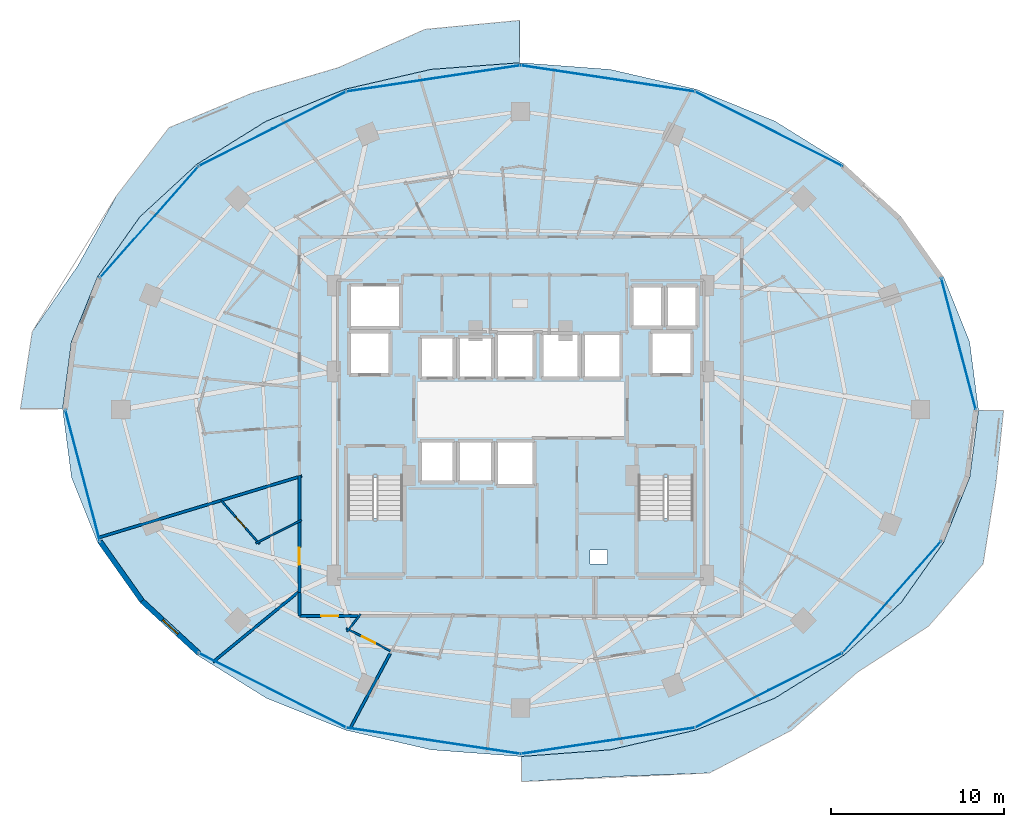
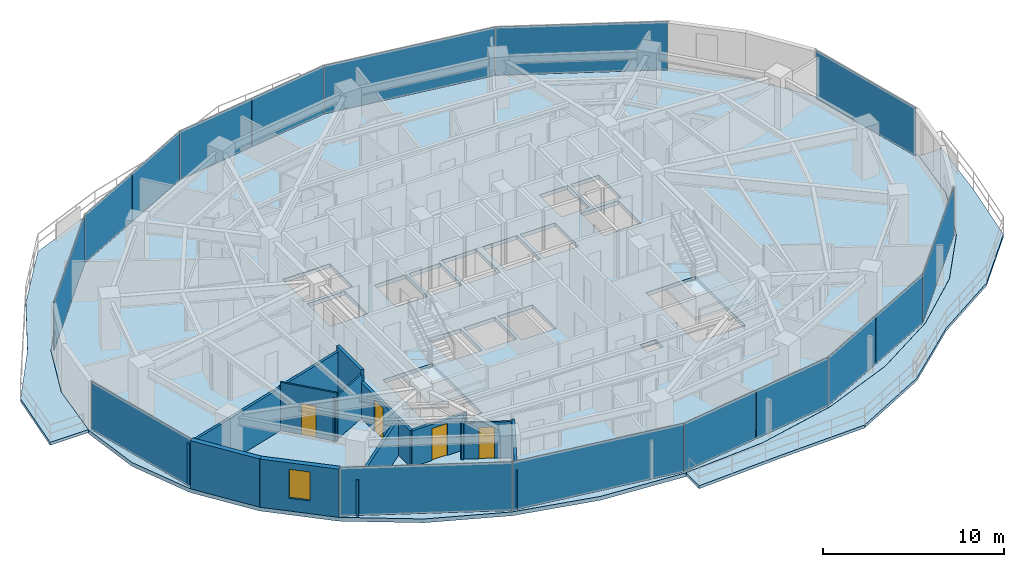
# One storey, part 20 of 29: 16 plates, 14 walls, 5 slabs, 4 doors, 1 window, 5 openings, 6 elements without a shape of their own.
"""IFC4 building model written with IfcOpenShell, lengths in metres."""

from ifc_helpers import new_model, si_unit, direction, frame, frame_2d, origin, origin_2d, place, context, subcontext, project, spatial, polyline, rectangle, outline, extrude, material, layer, layer_set, type_object, element, fill, aggregate, save


model = new_model("IFC4")

# Units and contexts
model_context = context("Model", 3, precision=1e-05, world=origin(), true_north=direction((0.0, 1.0)))
body_context = subcontext(model_context, "Body", "Model", "MODEL_VIEW")
ifc_project = project(units=[si_unit("LENGTHUNIT", "METRE"), si_unit("AREAUNIT", "SQUARE_METRE"), si_unit("VOLUMEUNIT", "CUBIC_METRE"), si_unit("PLANEANGLEUNIT", "RADIAN"), si_unit("MASSUNIT", "GRAM", prefix="KILO")], contexts=[model_context])

# Site, building, storey
site_placement = place(None, origin())
site = spatial("IfcSite", under=ifc_project, at=site_placement, CompositionType="ELEMENT")
building_placement = place(site_placement, origin())
building = spatial("IfcBuilding", under=site, at=building_placement, Name="Vorneva Point Tower", CompositionType="ELEMENT")
storey_placement = place(building_placement, frame((0.0, 0.0, 110.300048828125)))
storey = spatial("IfcBuildingStorey", under=building, at=storey_placement, Name="L29", CompositionType="ELEMENT", Elevation=110.300048828125)

# Curtain wall, plate
ifc_material_1 = material(Name="Pale anodised aluminium", Category="aluminium")
curtain_wall_type = type_object("IfcCurtainWallType", Name="CW-HTL-SYS", PredefinedType="NOTDEFINED", material=ifc_material_1)
curtain_wall_1_placement = place(storey_placement, origin())
curtain_wall_1 = element("IfcCurtainWall", 1, at=curtain_wall_1_placement, inside=storey, type_object=curtain_wall_type, Name="L29 Unitised Curtain Wall CW-L29-R01", PredefinedType="NOTDEFINED")
ifc_material_2 = material(Name="Double low-e laminated glass IGU", Category="glass")
ifc_layer_1 = layer(ifc_material_2, 0.035888671875)
ifc_layer_set_1 = layer_set([ifc_layer_1], Name="Double low-e laminated glass IGU")
plate_type = type_object("IfcPlateType", Name="CW-PNL-VIS", PredefinedType="CURTAIN_PANEL", material=ifc_layer_set_1)
plate_1_placement = place(storey_placement, frame((63.2509765625, 29.798095703125, -0.02001953125), z_axis=(0.0, 0.0, 1.0), x_axis=(-0.254399404995, 0.967099241411, 0.0)))
plate_1 = element("IfcPlate", 2, at=plate_1_placement, type_object=plate_type, Name="CW-L29-R01 Glazed Panel 01", PredefinedType="CURTAIN_PANEL", context=body_context, shape_type="SweptSolid", body=[
    extrude(rectangle(XDim=7.8046875, YDim=0.035888671875, at=origin_2d()), origin(), (0.0, 0.0, 1.0), 3.280029296875),
])
aggregate(curtain_wall_1, [plate_1])

# Curtain wall, plates
curtain_wall_2_placement = place(storey_placement, origin())
curtain_wall_2 = element("IfcCurtainWall", 3, at=curtain_wall_2_placement, inside=storey, type_object=curtain_wall_type, Name="L29 Unitised Curtain Wall CW-L29-R02", PredefinedType="NOTDEFINED")
plate_2_placement = place(storey_placement, frame((52.303466796875, 42.1875, -0.02001953125), z_axis=(0.0, 0.0, 1.0), x_axis=(-0.892538597772, 0.450971009585, 0.0)))
plate_2 = element("IfcPlate", 4, at=plate_2_placement, type_object=plate_type, Name="CW-L29-R02 Glazed Panel 01", PredefinedType="CURTAIN_PANEL", context=body_context, shape_type="SweptSolid", body=[
    extrude(rectangle(XDim=9.491455078125, YDim=0.035888671875, at=origin_2d()), origin(), (0.0, 0.0, 1.0), 3.280029296875),
])
plate_3_placement = place(storey_placement, frame((43.022705078125, 45.094482421875, -0.02001953125), z_axis=(0.0, 0.0, 1.0), x_axis=(-0.988876117041, 0.148741470836, 0.0)))
plate_3 = element("IfcPlate", 5, at=plate_3_placement, type_object=plate_type, Name="CW-L29-R02 Glazed Panel 02", PredefinedType="CURTAIN_PANEL", context=body_context, shape_type="SweptSolid", body=[
    extrude(rectangle(XDim=10.1083984375, YDim=0.035888671875, at=origin_2d()), origin(), (0.0, 0.0, 1.0), 3.280029296875),
])
plate_4_placement = place(storey_placement, frame((35.488525390625, 45.472412109375, -0.02001953125), z_axis=(0.0, 0.0, 1.0), x_axis=(-0.988876117041, -0.148741470836, 0.0)))
plate_4 = element("IfcPlate", 6, at=plate_4_placement, type_object=plate_type, Name="CW-L29-R02 Glazed Panel 03A", PredefinedType="CURTAIN_PANEL", context=body_context, shape_type="SweptSolid", body=[
    extrude(rectangle(XDim=5.029296875, YDim=0.035888671875, at=origin_2d()), origin(), (0.0, 0.0, 1.0), 3.280029296875),
])
plate_5_placement = place(storey_placement, frame((30.4658203125, 44.716796875, -0.02001953125), z_axis=(0.0, 0.0, 1.0), x_axis=(-0.988876117041, -0.148741470836, 0.0)))
plate_5 = element("IfcPlate", 7, at=plate_5_placement, type_object=plate_type, Name="CW-L29-R02 Glazed Panel 03B", PredefinedType="CURTAIN_PANEL", context=body_context, shape_type="SweptSolid", body=[
    extrude(rectangle(XDim=5.029296875, YDim=0.035888671875, at=origin_2d()), origin(), (0.0, 0.0, 1.0), 3.280029296875),
])
plate_6_placement = place(storey_placement, frame((25.825439453125, 43.26318359375, -0.02001953125), z_axis=(0.0, 0.0, 1.0), x_axis=(-0.892538597772, -0.450971009585, 0.0)))
plate_6 = element("IfcPlate", 8, at=plate_6_placement, type_object=plate_type, Name="CW-L29-R02 Glazed Panel 04A", PredefinedType="CURTAIN_PANEL", context=body_context, shape_type="SweptSolid", body=[
    extrude(rectangle(XDim=4.720703125, YDim=0.035888671875, at=origin_2d()), origin(), (0.0, 0.0, 1.0), 3.280029296875),
])
plate_7_placement = place(storey_placement, frame((21.5673828125, 41.11181640625, -0.02001953125), z_axis=(0.0, 0.0, 1.0), x_axis=(-0.892538597772, -0.450971009585, 0.0)))
plate_7 = element("IfcPlate", 9, at=plate_7_placement, type_object=plate_type, Name="CW-L29-R02 Glazed Panel 04B", PredefinedType="CURTAIN_PANEL", context=body_context, shape_type="SweptSolid", body=[
    extrude(rectangle(XDim=4.720703125, YDim=0.035888671875, at=origin_2d()), origin(), (0.0, 0.0, 1.0), 3.280029296875),
])
plate_8_placement = place(storey_placement, frame((16.59326171875, 36.816162109375, -0.02001953125), z_axis=(0.0, 0.0, 1.0), x_axis=(-0.662149334693, -0.749371909379, 0.0)))
plate_8 = element("IfcPlate", 10, at=plate_8_placement, type_object=plate_type, Name="CW-L29-R02 Glazed Panel 05", PredefinedType="CURTAIN_PANEL", context=body_context, shape_type="SweptSolid", body=[
    extrude(rectangle(XDim=8.543701171875, YDim=0.035888671875, at=origin_2d()), origin(), (0.0, 0.0, 1.0), 3.280029296875),
])
aggregate(curtain_wall_2, [plate_2, plate_3, plate_4, plate_5, plate_6, plate_7, plate_8])

# Curtain wall, plate
curtain_wall_3_placement = place(storey_placement, origin())
curtain_wall_3 = element("IfcCurtainWall", 11, at=curtain_wall_3_placement, inside=storey, type_object=curtain_wall_type, Name="L29 Unitised Curtain Wall CW-L29-R03", PredefinedType="NOTDEFINED")
plate_9_placement = place(storey_placement, frame((12.7490234375, 22.201904296875, -0.02001953125), z_axis=(0.0, 0.0, 1.0), x_axis=(0.254399404995, -0.967099241411, 0.0)))
plate_9 = element("IfcPlate", 12, at=plate_9_placement, type_object=plate_type, Name="CW-L29-R03 Glazed Panel 01", PredefinedType="CURTAIN_PANEL", context=body_context, shape_type="SweptSolid", body=[
    extrude(rectangle(XDim=7.8046875, YDim=0.035888671875, at=origin_2d()), origin(), (0.0, 0.0, 1.0), 3.280029296875),
])
aggregate(curtain_wall_3, [plate_9])

# Curtain wall, plates
curtain_wall_4_placement = place(storey_placement, origin())
curtain_wall_4 = element("IfcCurtainWall", 13, at=curtain_wall_4_placement, inside=storey, type_object=curtain_wall_type, Name="L29 Unitised Curtain Wall CW-L29-R04", PredefinedType="NOTDEFINED")
plate_10_placement = place(storey_placement, frame((23.696533203125, 9.8125, -0.02001953125), z_axis=(0.0, 0.0, 1.0), x_axis=(0.892538597772, -0.450971009585, 0.0)))
plate_10 = element("IfcPlate", 14, at=plate_10_placement, type_object=plate_type, Name="CW-L29-R04 Glazed Panel 01", PredefinedType="CURTAIN_PANEL", context=body_context, shape_type="SweptSolid", body=[
    extrude(rectangle(XDim=9.491455078125, YDim=0.035888671875, at=origin_2d()), origin(), (0.0, 0.0, 1.0), 3.280029296875),
])
plate_11_placement = place(storey_placement, frame((32.977294921875, 6.905517578125, -0.02001953125), z_axis=(0.0, 0.0, 1.0), x_axis=(0.988876117041, -0.148741470836, 0.0)))
plate_11 = element("IfcPlate", 15, at=plate_11_placement, type_object=plate_type, Name="CW-L29-R04 Glazed Panel 02", PredefinedType="CURTAIN_PANEL", context=body_context, shape_type="SweptSolid", body=[
    extrude(rectangle(XDim=10.1083984375, YDim=0.035888671875, at=origin_2d()), origin(), (0.0, 0.0, 1.0), 3.280029296875),
])
plate_12_placement = place(storey_placement, frame((40.511474609375, 6.52783203125, -0.02001953125), z_axis=(0.0, 0.0, 1.0), x_axis=(0.988876117041, 0.148741470836, 0.0)))
plate_12 = element("IfcPlate", 16, at=plate_12_placement, type_object=plate_type, Name="CW-L29-R04 Glazed Panel 03A", PredefinedType="CURTAIN_PANEL", context=body_context, shape_type="SweptSolid", body=[
    extrude(rectangle(XDim=5.029296875, YDim=0.035888671875, at=origin_2d()), origin(), (0.0, 0.0, 1.0), 3.280029296875),
])
plate_13_placement = place(storey_placement, frame((45.5341796875, 7.283203125, -0.02001953125), z_axis=(0.0, 0.0, 1.0), x_axis=(0.988876117041, 0.148741470836, 0.0)))
plate_13 = element("IfcPlate", 17, at=plate_13_placement, type_object=plate_type, Name="CW-L29-R04 Glazed Panel 03B", PredefinedType="CURTAIN_PANEL", context=body_context, shape_type="SweptSolid", body=[
    extrude(rectangle(XDim=5.029296875, YDim=0.035888671875, at=origin_2d()), origin(), (0.0, 0.0, 1.0), 3.280029296875),
])
plate_14_placement = place(storey_placement, frame((50.174560546875, 8.73681640625, -0.02001953125), z_axis=(0.0, 0.0, 1.0), x_axis=(0.892538597772, 0.450971009585, 0.0)))
plate_14 = element("IfcPlate", 18, at=plate_14_placement, type_object=plate_type, Name="CW-L29-R04 Glazed Panel 04A", PredefinedType="CURTAIN_PANEL", context=body_context, shape_type="SweptSolid", body=[
    extrude(rectangle(XDim=4.720703125, YDim=0.035888671875, at=origin_2d()), origin(), (0.0, 0.0, 1.0), 3.280029296875),
])
plate_15_placement = place(storey_placement, frame((54.4326171875, 10.88818359375, -0.02001953125), z_axis=(0.0, 0.0, 1.0), x_axis=(0.892538597772, 0.450971009585, 0.0)))
plate_15 = element("IfcPlate", 19, at=plate_15_placement, type_object=plate_type, Name="CW-L29-R04 Glazed Panel 04B", PredefinedType="CURTAIN_PANEL", context=body_context, shape_type="SweptSolid", body=[
    extrude(rectangle(XDim=4.720703125, YDim=0.035888671875, at=origin_2d()), origin(), (0.0, 0.0, 1.0), 3.280029296875),
])
plate_16_placement = place(storey_placement, frame((59.40673828125, 15.183837890625, -0.02001953125), z_axis=(0.0, 0.0, 1.0), x_axis=(0.662149334693, 0.749371909379, 0.0)))
plate_16 = element("IfcPlate", 20, at=plate_16_placement, type_object=plate_type, Name="CW-L29-R04 Glazed Panel 05", PredefinedType="CURTAIN_PANEL", context=body_context, shape_type="SweptSolid", body=[
    extrude(rectangle(XDim=8.543701171875, YDim=0.035888671875, at=origin_2d()), origin(), (0.0, 0.0, 1.0), 3.280029296875),
])
aggregate(curtain_wall_4, [plate_10, plate_11, plate_12, plate_13, plate_14, plate_15, plate_16])

# Slabs
ifc_material_3 = material(Name="Concrete B50 (C40/50)", Category="concrete")
ifc_layer_2 = layer(ifc_material_3, 0.199951171875)
ifc_layer_set_2 = layer_set([ifc_layer_2], Name="Concrete B50 (C40/50)")
slab_type_1 = type_object("IfcSlabType", Name="SLB-BAL-200", PredefinedType="FLOOR", material=ifc_layer_set_2)
slab_1_placement = place(storey_placement, frame((0.0, 0.0, -0.199951171875)))
element("IfcSlab", 21, at=slab_1_placement, inside=storey, type_object=slab_type_1, Name="L29 Cantilevered Wave Balcony NW", PredefinedType="FLOOR", context=body_context, shape_type="SweptSolid", body=[
    extrude(outline(polyline([(9.16259765625, 26.050048828125), (11.6025390625, 26.050048828125), (12.103271484375, 29.90234375), (12.103515625, 29.902587890625), (12.103515625, 29.903076171875), (12.103515625, 29.9033203125), (13.60595703125, 33.6552734375), (13.606201171875, 33.655517578125), (13.606201171875, 33.656005859375), (16.0458984375, 37.11376953125), (16.046142578125, 37.114013671875), (16.04638671875, 37.1142578125), (19.32958984375, 40.14501953125), (19.330078125, 40.145263671875), (19.330322265625, 40.1455078125), (23.330810546875, 42.6328125), (23.3310546875, 42.633056640625), (23.331298828125, 42.633056640625), (27.895751953125, 44.481201171875), (27.89599609375, 44.4814453125), (27.896240234375, 44.4814453125), (32.8486328125, 45.61962890625), (32.84912109375, 45.61962890625), (32.849365234375, 45.61962890625), (37.949951171875, 46.000244140625), (37.949951171875, 48.440185546875), (32.501220703125, 47.928466796875), (27.5068359375, 45.72119140625), (22.513916015625, 44.247314453125), (17.732177734375, 42.25439453125), (14.689208984375, 38.310791015625), (12.466064453125, 34.27880859375), (9.844970703125, 30.495849609375), (9.16259765625, 26.050048828125)])), origin(), (0.0, 0.0, 1.0), 0.199951171875),
])
slab_2_placement = place(storey_placement, frame((0.0, 0.0, -0.199951171875)))
element("IfcSlab", 22, at=slab_2_placement, inside=storey, type_object=slab_type_1, Name="L29 Cantilevered Wave Balcony SE", PredefinedType="FLOOR", context=body_context, shape_type="SweptSolid", body=[
    extrude(outline(polyline([(65.402587890625, 21.70166015625), (65.849609375, 25.949951171875), (64.3974609375, 25.949951171875), (63.896728515625, 22.09765625), (63.896484375, 22.097412109375), (63.896484375, 22.096923828125), (63.896484375, 22.0966796875), (62.39404296875, 18.3447265625), (62.393798828125, 18.344482421875), (62.393798828125, 18.343994140625), (59.9541015625, 14.88623046875), (59.953857421875, 14.885986328125), (59.95361328125, 14.8857421875), (56.67041015625, 11.85498046875), (56.669921875, 11.854736328125), (56.669677734375, 11.8544921875), (52.669189453125, 9.3671875), (52.6689453125, 9.366943359375), (52.668701171875, 9.366943359375), (48.104248046875, 7.518798828125), (48.10400390625, 7.5185546875), (48.103759765625, 7.5185546875), (43.1513671875, 6.38037109375), (43.15087890625, 6.38037109375), (43.150634765625, 6.38037109375), (38.050048828125, 5.999755859375), (38.050048828125, 4.547607421875), (43.383056640625, 4.840576171875), (48.88037109375, 5.044921875), (53.609375, 7.509033203125), (57.42236328125, 10.861572265625), (61.515625, 13.50830078125), (64.668701171875, 17.1005859375), (65.402587890625, 21.70166015625)])), origin(), (0.0, 0.0, 1.0), 0.199951171875),
])

# Stair, slab
stair_type = type_object("IfcStairType", Name="ST-DOG-1500", PredefinedType="HALF_TURN_STAIR", material=ifc_material_3)
stair_1_placement = place(storey_placement, origin())
stair_1 = element("IfcStair", 23, at=stair_1_placement, inside=storey, type_object=stair_type, Name="L29 ST1", PredefinedType="HALF_TURN_STAIR")
ifc_layer_3 = layer(ifc_material_3, 0.199951171875)
ifc_layer_set_3 = layer_set([ifc_layer_3], Name="Concrete B50 (C40/50)")
slab_type_2 = type_object("IfcSlabType", Name="SLB-LND-200", PredefinedType="LANDING", material=ifc_layer_set_3)
slab_3_placement = place(storey_placement, frame((0.0, 0.0, 1.550048828125)))
slab_3 = element("IfcSlab", 24, at=slab_3_placement, type_object=slab_type_2, Name="ST1 landing 1", PredefinedType="LANDING", context=body_context, shape_type="SweptSolid", body=[
    extrude(outline(polyline([(27.929931640625, 16.47998046875), (31.320068359375, 16.47998046875), (31.320068359375, 19.72998046875), (27.929931640625, 19.72998046875), (27.929931640625, 16.47998046875)])), origin(), (0.0, 0.0, 1.0), 0.199951171875),
])
aggregate(stair_1, [slab_3])

stair_2_placement = place(storey_placement, origin())
stair_2 = element("IfcStair", 25, at=stair_2_placement, inside=storey, type_object=stair_type, Name="L29 ST2", PredefinedType="HALF_TURN_STAIR")
slab_4_placement = place(storey_placement, frame((0.0, 0.0, 1.550048828125)))
slab_4 = element("IfcSlab", 26, at=slab_4_placement, type_object=slab_type_2, Name="ST2 landing 1", PredefinedType="LANDING", context=body_context, shape_type="SweptSolid", body=[
    extrude(outline(polyline([(44.679931640625, 16.47998046875), (48.070068359375, 16.47998046875), (48.070068359375, 19.72998046875), (44.679931640625, 19.72998046875), (44.679931640625, 16.47998046875)])), origin(), (0.0, 0.0, 1.0), 0.199951171875),
])
aggregate(stair_2, [slab_4])

# Slab
ifc_layer_4 = layer(ifc_material_3, 0.260009765625)
ifc_layer_set_4 = layer_set([ifc_layer_4], Name="Concrete B50 (C40/50)")
slab_type_3 = type_object("IfcSlabType", Name="SLB-TYP-260", PredefinedType="FLOOR", material=ifc_layer_set_4)
slab_5_placement = place(storey_placement, frame((0.0, 0.0, -0.260009765625)))
element("IfcSlab", 27, at=slab_5_placement, inside=storey, type_object=slab_type_3, Name="L29 Structural Floor Plate", PredefinedType="FLOOR", context=body_context, shape_type="SweptSolid", body=[
    extrude(outline(polyline([(64.39990234375, 26.0), (63.892578125, 29.90185546875), (62.390380859375, 33.65380859375), (59.95068359375, 37.111328125), (56.66748046875, 40.14208984375), (52.6669921875, 42.62939453125), (48.102783203125, 44.4775390625), (43.150390625, 45.61572265625), (38.0, 46.0), (32.849609375, 45.61572265625), (27.897216796875, 44.4775390625), (23.3330078125, 42.62939453125), (19.33251953125, 40.14208984375), (16.04931640625, 37.111328125), (13.609619140625, 33.65380859375), (12.107421875, 29.90185546875), (11.60009765625, 26.0), (12.107421875, 22.09814453125), (13.609619140625, 18.34619140625), (16.04931640625, 14.888671875), (19.33251953125, 11.85791015625), (23.3330078125, 9.37060546875), (27.897216796875, 7.5224609375), (32.849609375, 6.38427734375), (38.0, 6.0), (43.150390625, 6.38427734375), (48.102783203125, 7.5224609375), (52.6669921875, 9.37060546875), (56.66748046875, 11.85791015625), (59.95068359375, 14.888671875), (62.390380859375, 18.34619140625), (63.892578125, 22.09814453125), (64.39990234375, 26.0)]), holes=[polyline([(32.199951171875, 27.800048828125), (34.199951171875, 27.800048828125), (34.199951171875, 30.199951171875), (32.199951171875, 30.199951171875), (32.199951171875, 27.800048828125)]), polyline([(34.39990234375, 27.800048828125), (36.39990234375, 27.800048828125), (36.39990234375, 30.199951171875), (34.39990234375, 30.199951171875), (34.39990234375, 27.800048828125)]), polyline([(36.60009765625, 27.800048828125), (38.800048828125, 27.800048828125), (38.800048828125, 30.39990234375), (36.60009765625, 30.39990234375), (36.60009765625, 27.800048828125)]), polyline([(32.199951171875, 21.800048828125), (34.199951171875, 21.800048828125), (34.199951171875, 24.199951171875), (32.199951171875, 24.199951171875), (32.199951171875, 21.800048828125)]), polyline([(34.39990234375, 21.800048828125), (36.39990234375, 21.800048828125), (36.39990234375, 24.199951171875), (34.39990234375, 24.199951171875), (34.39990234375, 21.800048828125)]), polyline([(36.60009765625, 21.60009765625), (38.800048828125, 21.60009765625), (38.800048828125, 24.199951171875), (36.60009765625, 24.199951171875), (36.60009765625, 21.60009765625)]), polyline([(39.199951171875, 27.800048828125), (41.39990234375, 27.800048828125), (41.39990234375, 30.39990234375), (39.199951171875, 30.39990234375), (39.199951171875, 27.800048828125)]), polyline([(41.60009765625, 27.800048828125), (43.800048828125, 27.800048828125), (43.800048828125, 30.39990234375), (41.60009765625, 30.39990234375), (41.60009765625, 27.800048828125)]), polyline([(44.39990234375, 30.739990234375), (46.199951171875, 30.739990234375), (46.199951171875, 33.159912109375), (44.39990234375, 33.159912109375), (44.39990234375, 30.739990234375)]), polyline([(46.39990234375, 30.739990234375), (48.199951171875, 30.739990234375), (48.199951171875, 33.159912109375), (46.39990234375, 33.159912109375), (46.39990234375, 30.739990234375)]), polyline([(28.10009765625, 28.0), (30.5, 28.0), (30.5, 30.5), (28.10009765625, 30.5), (28.10009765625, 28.0)]), polyline([(45.5, 28.0), (47.89990234375, 28.0), (47.89990234375, 30.5), (45.5, 30.5), (45.5, 28.0)]), polyline([(28.10009765625, 30.699951171875), (31.10009765625, 30.699951171875), (31.10009765625, 33.199951171875), (28.10009765625, 33.199951171875), (28.10009765625, 30.699951171875)]), polyline([(28.050048828125, 16.60009765625), (31.199951171875, 16.60009765625), (31.199951171875, 22.080078125), (28.050048828125, 22.080078125), (28.050048828125, 16.60009765625)]), polyline([(44.800048828125, 16.60009765625), (47.949951171875, 16.60009765625), (47.949951171875, 22.080078125), (44.800048828125, 22.080078125), (44.800048828125, 16.60009765625)]), polyline([(42.0, 17.10009765625), (43.0, 17.10009765625), (43.0, 17.89990234375), (42.0, 17.89990234375), (42.0, 17.10009765625)])]), origin(), (0.0, 0.0, 1.0), 0.260009765625),
])

# Wall
ifc_material_4 = material(Name="Precast concrete B50 (C40/50)", Category="concrete")
ifc_layer_5 = layer(ifc_material_4, 0.300048828125)
ifc_layer_set_5 = layer_set([ifc_layer_5], Name="Precast concrete B50 (C40/50)")
wall_type_1 = type_object("IfcWallType", Name="WL-EXT-300", PredefinedType="STANDARD", material=ifc_layer_set_5)
wall_1_placement = place(storey_placement, frame((13.748291015625, 18.40380859375, 0.0), z_axis=(0.0, 0.0, 1.0), x_axis=(0.57716435238, -0.81662801222, 0.0)))
element("IfcWall", 28, at=wall_1_placement, inside=storey, type_object=wall_type_1, Name="L29 Pale-Metal Facade Spandrel Wall 10.1", PredefinedType="STANDARD", context=body_context, shape_type="SweptSolid", body=[
    extrude(rectangle(XDim=4.202392578125, YDim=0.300048828125, at=frame_2d((2.10107421875, 0.0))), origin(), (0.0, 0.0, 1.0), 3.239990234375),
])

# Wall, opening, window
wall_2_placement = place(storey_placement, frame((16.173828125, 14.971923828125, 0.0), z_axis=(0.0, 0.0, 1.0), x_axis=(0.735416718093, -0.677615119924, 0.0)))
wall_2 = element("IfcWall", 29, at=wall_2_placement, inside=storey, type_object=wall_type_1, Name="L29 Pale-Metal Facade Spandrel Wall 10.2", PredefinedType="STANDARD", context=body_context, shape_type="SweptSolid", body=[
    extrude(rectangle(XDim=4.439208984375, YDim=0.300048828125, at=frame_2d((2.2197265625, 0.0))), origin(), (0.0, 0.0, 1.0), 3.239990234375),
])
opening_1_placement = place(wall_2_placement, frame((1.619384765625, 0.0, 0.85009765625)))
opening_1 = element("IfcOpeningElement", 30, at=opening_1_placement, cuts=wall_2, Name="Opening W-04", PredefinedType="OPENING", context=body_context, shape_type="SweptSolid", body=[
    extrude(rectangle(XDim=1.199951171875, YDim=1.949951171875, at=frame_2d((0.60009765625, 0.97509765625))), frame((0.0, 0.1650390625, 0.0), z_axis=(0.0, -1.0, 0.0), x_axis=(1.0, 0.0, 0.0)), (0.0, 0.0, 1.0), 0.329833984375),
])
window_type = type_object("IfcWindowType", Name="WN-RES-1200", PartitioningType="SINGLE_PANEL", PredefinedType="WINDOW", material=ifc_material_2)
window_placement = place(opening_1_placement, origin())
window = element("IfcWindow", 31, at=window_placement, inside=storey, type_object=window_type, Name="L29 Dwelling Vision Window 02", OverallHeight=1.949951171875, OverallWidth=1.199951171875, PartitioningType="SINGLE_PANEL", PredefinedType="WINDOW", context=body_context, shape_type="SweptSolid", body=[
    extrude(rectangle(XDim=1.199951171875, YDim=1.949951171875, at=frame_2d((0.60009765625, 0.97509765625))), frame((0.0, 0.030029296875, 0.0), z_axis=(0.0, -1.0, 0.0), x_axis=(1.0, 0.0, 0.0)), (0.0, 0.0, 1.0), 0.06005859375),
])
fill(opening_1, window)

# Wall
ifc_material_5 = material(Name="Fire-rated acoustic gypsum stud partition", Category="gypsum")
ifc_layer_6 = layer(ifc_material_5, 0.110107421875)
ifc_layer_set_6 = layer_set([ifc_layer_6], Name="Fire-rated acoustic gypsum stud partition")
wall_type_2 = type_object("IfcWallType", Name="WL-PART-110", PredefinedType="PARTITIONING", material=ifc_layer_set_6)
wall_3_placement = place(storey_placement, frame((25.375, 19.629150390625, 0.0), z_axis=(0.0, 0.0, 1.0), x_axis=(-0.892771184856, -0.450510389992, 0.0)))
element("IfcWall", 32, at=wall_3_placement, inside=storey, type_object=wall_type_2, Name="L29 Interior Partition 092", PredefinedType="PARTITIONING", context=body_context, shape_type="SweptSolid", body=[
    extrude(rectangle(XDim=2.95947265625, YDim=0.110107421875, at=frame_2d((1.479736328125, 0.0))), origin(), (0.0, 0.0, 1.0), 2.928955078125),
])

# Wall, opening, door
wall_4_placement = place(storey_placement, frame((22.95068359375, 18.254150390625, 0.0), z_axis=(0.0, 0.0, 1.0), x_axis=(-0.662033979608, 0.749473821988, 0.0)))
wall_4 = element("IfcWall", 33, at=wall_4_placement, inside=storey, type_object=wall_type_2, Name="L29 Interior Partition 093", PredefinedType="PARTITIONING", context=body_context, shape_type="SweptSolid", body=[
    extrude(rectangle(XDim=3.30859375, YDim=0.110107421875, at=frame_2d((1.654296875, 0.0))), origin(), (0.0, 0.0, 1.0), 3.239990234375),
])
opening_2_placement = place(wall_4_placement, frame((1.229248046875, 0.0, 0.0)))
opening_2 = element("IfcOpeningElement", 34, at=opening_2_placement, cuts=wall_4, Name="Opening ID-02", PredefinedType="OPENING", context=body_context, shape_type="SweptSolid", body=[
    extrude(rectangle(XDim=0.85009765625, YDim=2.10009765625, at=frame_2d((0.425048828125, 1.050048828125))), frame((0.0, 0.06982421875, 0.0), z_axis=(0.0, -1.0, 0.0), x_axis=(1.0, 0.0, 0.0)), (0.0, 0.0, 1.0), 0.139892578125),
])
ifc_material_6 = material(Name="Engineered oak fire-rated door leaf", Category="wood")
door_type_1 = type_object("IfcDoorType", Name="DR-BATH-850", OperationType="NOTDEFINED", PredefinedType="DOOR", material=ifc_material_6)
door_1_placement = place(opening_2_placement, origin())
door_1 = element("IfcDoor", 35, at=door_1_placement, inside=storey, type_object=door_type_1, Name="L29 Door King Guest Room L29-09 / En-Suite Bathroom L29-09", OperationType="SINGLE_SWING_LEFT", OverallHeight=2.10009765625, OverallWidth=0.85009765625, PredefinedType="DOOR", context=body_context, shape_type="SweptSolid", body=[
    extrude(rectangle(XDim=0.85009765625, YDim=2.10009765625, at=frame_2d((0.425048828125, 1.050048828125))), frame((0.0, 0.02490234375, 0.0), z_axis=(0.0, -1.0, 0.0), x_axis=(1.0, 0.0, 0.0)), (0.0, 0.0, 1.0), 0.050048828125),
])
fill(opening_2, door_1)

wall_5_placement = place(storey_placement, frame((30.532958984375, 12.074951171875, 0.0), z_axis=(0.0, 0.0, 1.0), x_axis=(-0.89257679281, 0.450895407979, 0.0)))
wall_5 = element("IfcWall", 36, at=wall_5_placement, inside=storey, type_object=wall_type_2, Name="L29 Interior Partition 095", PredefinedType="PARTITIONING", context=body_context, shape_type="SweptSolid", body=[
    extrude(rectangle(XDim=2.88818359375, YDim=0.110107421875, at=frame_2d((1.444091796875, 0.0))), origin(), (0.0, 0.0, 1.0), 2.431884765625),
])
opening_3_placement = place(wall_5_placement, frame((1.01904296875, 0.0, 0.0)))
opening_3 = element("IfcOpeningElement", 37, at=opening_3_placement, cuts=wall_5, Name="Opening ID-02", PredefinedType="OPENING", context=body_context, shape_type="SweptSolid", body=[
    extrude(rectangle(XDim=0.85009765625, YDim=2.10009765625, at=frame_2d((0.425048828125, 1.050048828125))), frame((0.0, 0.06982421875, 0.0), z_axis=(0.0, -1.0, 0.0), x_axis=(1.0, 0.0, 0.0)), (0.0, 0.0, 1.0), 0.139892578125),
])
door_2_placement = place(opening_3_placement, origin())
door_2 = element("IfcDoor", 38, at=door_2_placement, inside=storey, type_object=door_type_1, Name="L29 Door Twin Guest Room L29-10 / En-Suite Bathroom L29-10", OperationType="SINGLE_SWING_RIGHT", OverallHeight=2.10009765625, OverallWidth=0.85009765625, PredefinedType="DOOR", context=body_context, shape_type="SweptSolid", body=[
    extrude(rectangle(XDim=0.85009765625, YDim=2.10009765625, at=frame_2d((0.425048828125, 1.050048828125))), frame((0.0, 0.02490234375, 0.0), z_axis=(0.0, -1.0, 0.0), x_axis=(1.0, 0.0, 0.0)), (0.0, 0.0, 1.0), 0.050048828125),
])
fill(opening_3, door_2)

# Walls
wall_6_placement = place(storey_placement, frame((27.993896484375, 13.20361328125, 0.0), z_axis=(0.0, 0.0, 1.0), x_axis=(0.615632914819, 0.788033066687, 0.0)))
element("IfcWall", 39, at=wall_6_placement, inside=storey, type_object=wall_type_2, Name="L29 Interior Partition 096", PredefinedType="PARTITIONING", context=body_context, shape_type="SweptSolid", body=[
    extrude(rectangle(XDim=1.27734375, YDim=0.110107421875, at=frame_2d((0.638671875, 0.0))), origin(), (0.0, 0.0, 1.0), 2.431884765625),
])
ifc_layer_7 = layer(ifc_material_5, 0.159912109375)
ifc_layer_set_7 = layer_set([ifc_layer_7], Name="Fire-rated acoustic gypsum stud partition")
wall_type_3 = type_object("IfcWallType", Name="WL-PART-160", PredefinedType="PARTITIONING", material=ifc_layer_set_7)
wall_7_placement = place(storey_placement, frame((13.6630859375, 18.616943359375, 0.0), z_axis=(0.0, 0.0, 1.0), x_axis=(0.956933827214, 0.290306132098, 0.0)))
element("IfcWall", 40, at=wall_7_placement, inside=storey, type_object=wall_type_3, Name="L29 Interior Partition 090", PredefinedType="PARTITIONING", context=body_context, shape_type="SweptSolid", body=[
    extrude(rectangle(XDim=7.530029296875, YDim=0.159912109375, at=frame_2d((3.76513671875, 0.0))), origin(), (0.0, 0.0, 1.0), 2.885986328125),
])
wall_8_placement = place(storey_placement, frame((20.735107421875, 20.761962890625, 0.0), z_axis=(0.0, 0.0, 1.0), x_axis=(0.956916986017, 0.290361639807, 0.0)))
element("IfcWall", 41, at=wall_8_placement, inside=storey, type_object=wall_type_3, Name="L29 Interior Partition 091", PredefinedType="PARTITIONING", context=body_context, shape_type="SweptSolid", body=[
    extrude(rectangle(XDim=4.858154296875, YDim=0.159912109375, at=frame_2d((2.42919921875, 0.0))), origin(), (0.0, 0.0, 1.0), 2.928955078125),
])
wall_9_placement = place(storey_placement, frame((20.27197265625, 11.450927734375, 0.0), z_axis=(0.0, 0.0, 1.0), x_axis=(0.7730409537, 0.634356117573, 0.0)))
element("IfcWall", 42, at=wall_9_placement, inside=storey, type_object=wall_type_3, Name="L29 Interior Partition 094", PredefinedType="PARTITIONING", context=body_context, shape_type="SweptSolid", body=[
    extrude(rectangle(XDim=6.439453125, YDim=0.159912109375, at=frame_2d((3.2197265625, 0.0))), origin(), (0.0, 0.0, 1.0), 2.431884765625),
])
wall_10_placement = place(storey_placement, frame((28.172119140625, 7.613037109375, 0.0), z_axis=(0.0, 0.0, 1.0), x_axis=(0.47136925097, 0.881935955294, 0.0)))
element("IfcWall", 43, at=wall_10_placement, inside=storey, type_object=wall_type_3, Name="L29 Interior Partition 098", PredefinedType="PARTITIONING", context=body_context, shape_type="SweptSolid", body=[
    extrude(rectangle(XDim=4.898681640625, YDim=0.159912109375, at=frame_2d((2.44921875, 0.0))), origin(), (0.0, 0.0, 1.0), 2.677001953125),
])

# Wall, opening, door
ifc_material_7 = material(Name="Autoclaved aerated concrete blockwork", Category="masonry")
ifc_layer_8 = layer(ifc_material_7, 0.179931640625)
ifc_layer_set_8 = layer_set([ifc_layer_8], Name="Autoclaved aerated concrete blockwork")
wall_type_4 = type_object("IfcWallType", Name="WL-PART-180", PredefinedType="PARTITIONING", material=ifc_layer_set_8)
wall_11_placement = place(storey_placement, frame((25.25, 19.6259765625, 0.0), z_axis=(0.0, 0.0, 1.0), x_axis=(0.0, -1.0, 0.0)))
wall_11 = element("IfcWall", 44, at=wall_11_placement, inside=storey, type_object=wall_type_4, Name="L29 Interior Partition 044", PredefinedType="PARTITIONING", context=body_context, shape_type="SweptSolid", body=[
    extrude(rectangle(XDim=4.16796875, YDim=0.179931640625, at=frame_2d((2.083984375, 0.0))), origin(), (0.0, 0.0, 1.0), 2.431884765625),
])
opening_4_placement = place(wall_11_placement, frame((1.583984375, 0.0, 0.0)))
opening_4 = element("IfcOpeningElement", 45, at=opening_4_placement, cuts=wall_11, Name="Opening UD-01", PredefinedType="OPENING", context=body_context, shape_type="SweptSolid", body=[
    extrude(rectangle(XDim=1.0, YDim=2.14990234375, at=frame_2d((0.5, 1.074951171875))), frame((0.0, 0.10498046875, 0.0), z_axis=(0.0, -1.0, 0.0), x_axis=(1.0, 0.0, 0.0)), (0.0, 0.0, 1.0), 0.209716796875),
])
door_type_2 = type_object("IfcDoorType", Name="DR-UNIT-1000", OperationType="NOTDEFINED", PredefinedType="DOOR", material=ifc_material_6)
door_3_placement = place(opening_4_placement, origin())
door_3 = element("IfcDoor", 46, at=door_3_placement, inside=storey, type_object=door_type_2, Name="L29 Door L29 Circulation Corridor / King Guest Room L29-09", OperationType="SINGLE_SWING_RIGHT", OverallHeight=2.14990234375, OverallWidth=1.0, PredefinedType="DOOR", context=body_context, shape_type="SweptSolid", body=[
    extrude(rectangle(XDim=1.0, YDim=2.14990234375, at=frame_2d((0.5, 1.074951171875))), frame((0.0, 0.02490234375, 0.0), z_axis=(0.0, -1.0, 0.0), x_axis=(1.0, 0.0, 0.0)), (0.0, 0.0, 1.0), 0.050048828125),
])
fill(opening_4, door_3)

# Walls
wall_12_placement = place(storey_placement, frame((25.25, 22.208984375, 0.0), z_axis=(0.0, 0.0, 1.0), x_axis=(0.0, -1.0, 0.0)))
element("IfcWall", 47, at=wall_12_placement, inside=storey, type_object=wall_type_4, Name="L29 Interior Partition 045", PredefinedType="PARTITIONING", context=body_context, shape_type="SweptSolid", body=[
    extrude(rectangle(XDim=2.722900390625, YDim=0.179931640625, at=frame_2d((1.361328125, 0.0))), origin(), (0.0, 0.0, 1.0), 3.239990234375),
])
wall_13_placement = place(storey_placement, frame((25.25, 15.4580078125, 0.0), z_axis=(0.0, 0.0, 1.0), x_axis=(0.0, -1.0, 0.0)))
element("IfcWall", 48, at=wall_13_placement, inside=storey, type_object=wall_type_4, Name="L29 Interior Partition 046", PredefinedType="PARTITIONING", context=body_context, shape_type="SweptSolid", body=[
    extrude(rectangle(XDim=1.35791015625, YDim=0.179931640625, at=frame_2d((0.678955078125, 0.0))), origin(), (0.0, 0.0, 1.0), 2.431884765625),
])

# Wall, opening, door
wall_14_placement = place(storey_placement, frame((25.25, 14.10009765625, 0.0), z_axis=(0.0, 0.0, 1.0), x_axis=(1.0, 0.0, 0.0)))
wall_14 = element("IfcWall", 49, at=wall_14_placement, inside=storey, type_object=wall_type_4, Name="L29 Interior Partition 047", PredefinedType="PARTITIONING", context=body_context, shape_type="SweptSolid", body=[
    extrude(rectangle(XDim=3.50390625, YDim=0.179931640625, at=frame_2d((1.751953125, 0.0))), origin(), (0.0, 0.0, 1.0), 2.431884765625),
])
opening_5_placement = place(wall_14_placement, frame((1.251953125, 0.0, 0.0)))
opening_5 = element("IfcOpeningElement", 50, at=opening_5_placement, cuts=wall_14, Name="Opening UD-01", PredefinedType="OPENING", context=body_context, shape_type="SweptSolid", body=[
    extrude(rectangle(XDim=1.0, YDim=2.14990234375, at=frame_2d((0.5, 1.074951171875))), frame((0.0, 0.10498046875, 0.0), z_axis=(0.0, -1.0, 0.0), x_axis=(1.0, 0.0, 0.0)), (0.0, 0.0, 1.0), 0.209716796875),
])
door_4_placement = place(opening_5_placement, origin())
door_4 = element("IfcDoor", 51, at=door_4_placement, inside=storey, type_object=door_type_2, Name="L29 Door L29 Circulation Corridor / Twin Guest Room L29-10", OperationType="SINGLE_SWING_LEFT", OverallHeight=2.14990234375, OverallWidth=1.0, PredefinedType="DOOR", context=body_context, shape_type="SweptSolid", body=[
    extrude(rectangle(XDim=1.0, YDim=2.14990234375, at=frame_2d((0.5, 1.074951171875))), frame((0.0, 0.02490234375, 0.0), z_axis=(0.0, -1.0, 0.0), x_axis=(1.0, 0.0, 0.0)), (0.0, 0.0, 1.0), 0.050048828125),
])
fill(opening_5, door_4)

save(model, "model.ifc")
